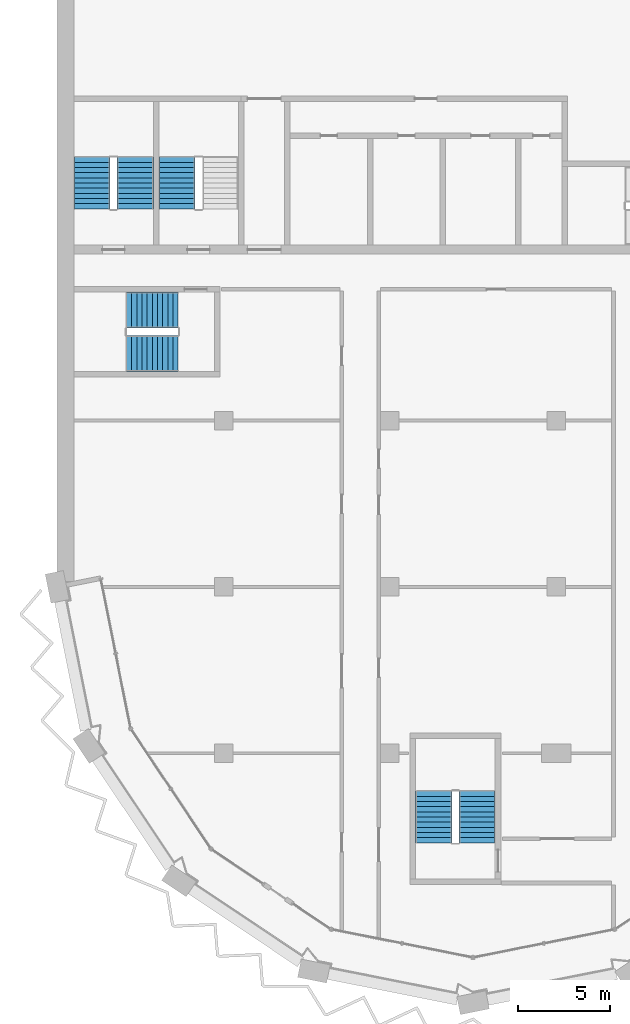
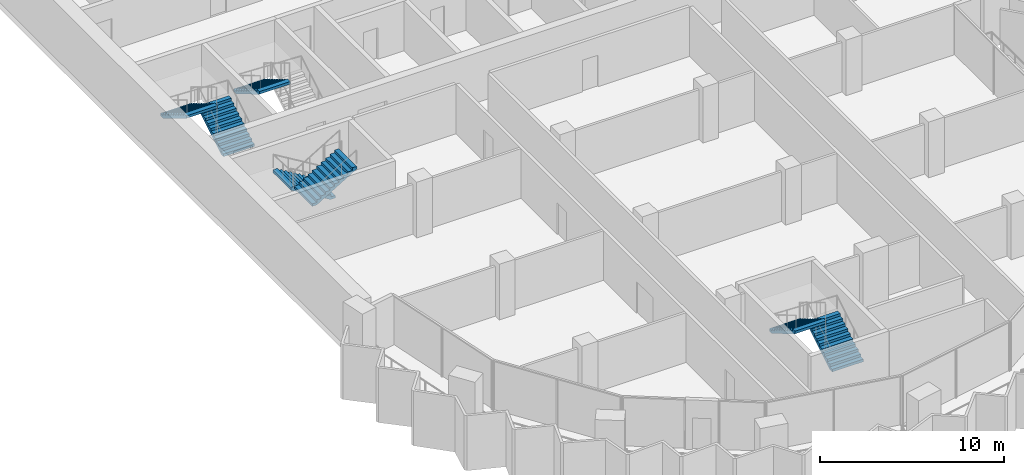
# One storey, part 11 of 16: 7 stair flights, 4 elements without a shape of their own.
"""IFC4 building model written with IfcOpenShell, lengths in metres."""

from ifc_helpers import new_model, si_unit, direction, frame, origin, place, context, subcontext, project, spatial, polyline, outline, extrude, material, type_object, element, aggregate, save


model = new_model("IFC4")

# Units and contexts
model_context = context("Model", 3, precision=1e-05, world=origin(), true_north=direction((0.0, 1.0)))
body_context = subcontext(model_context, "Body", "Model", "MODEL_VIEW")
ifc_project = project(units=[si_unit("LENGTHUNIT", "METRE"), si_unit("AREAUNIT", "SQUARE_METRE"), si_unit("VOLUMEUNIT", "CUBIC_METRE"), si_unit("PLANEANGLEUNIT", "RADIAN"), si_unit("MASSUNIT", "GRAM", prefix="KILO")], contexts=[model_context])

# Site, building, storey
site_placement = place(None, origin())
site = spatial("IfcSite", under=ifc_project, at=site_placement, CompositionType="ELEMENT")
building_placement = place(site_placement, origin())
building = spatial("IfcBuilding", under=site, at=building_placement, Name="Hunhe Ridgeline Campus", CompositionType="ELEMENT")
storey_placement = place(building_placement, frame((0.0, 0.0, 246.60009765625)))
storey = spatial("IfcBuildingStorey", under=building, at=storey_placement, Name="L63", CompositionType="ELEMENT", Elevation=246.60009765625)

# Stair, stair flights
ifc_material = material(Name="Concrete C40", Category="concrete")
stair_type = type_object("IfcStairType", Name="Reinforced concrete dog-leg stair 1950 Concrete C40", PredefinedType="HALF_TURN_STAIR", material=ifc_material)
stair_1_placement = place(storey_placement, origin())
stair_1 = element("IfcStair", 1, at=stair_1_placement, inside=storey, type_object=stair_type, Name="L63 S3", PredefinedType="HALF_TURN_STAIR")
stair_flight_type = type_object("IfcStairFlightType", Name="Reinforced concrete stair flight 1950 Concrete C40", PredefinedType="STRAIGHT", material=ifc_material)
stair_flight_1_placement = place(storey_placement, frame((4.22509765625, 65.449951171875, 0.0), z_axis=(0.0, 0.0, 1.0), x_axis=(0.0, 1.0, 0.0)))
stair_flight_1 = element("IfcStairFlight", 2, at=stair_flight_1_placement, type_object=stair_flight_type, Name="ST3 flight 1", NumberOfRisers=11, NumberOfTreads=10, PredefinedType="STRAIGHT", RiserHeight=0.168181818, TreadLength=0.28, context=body_context, shape_type="SweptSolid", body=[
    extrude(outline(polyline([(0.0, 0.0), (0.0, 0.168212890625), (0.280029296875, 0.168212890625), (0.280029296875, 0.33642578125), (0.56005859375, 0.33642578125), (0.56005859375, 0.504638671875), (0.840087890625, 0.504638671875), (0.840087890625, 0.672607421875), (1.1201171875, 0.672607421875), (1.1201171875, 0.8408203125), (1.39990234375, 0.8408203125), (1.39990234375, 1.009033203125), (1.679931640625, 1.009033203125), (1.679931640625, 1.17724609375), (1.9599609375, 1.17724609375), (1.9599609375, 1.345458984375), (2.239990234375, 1.345458984375), (2.239990234375, 1.513671875), (2.52001953125, 1.513671875), (2.52001953125, 1.681884765625), (2.800048828125, 1.681884765625), (2.800048828125, 1.85009765625), (2.800048828125, 1.5068359375), (0.291015625, 0.0), (0.0, 0.0)])), frame((0.0, 0.97509765625, 0.0), z_axis=(0.0, -1.0, 0.0), x_axis=(1.0, 0.0, 0.0)), (0.0, 0.0, 1.0), 1.949951171875),
    extrude(outline(polyline([(0.030029296875, 0.030029296875), (0.030029296875, 0.13818359375), (0.31005859375, 0.13818359375), (0.31005859375, 0.306396484375), (0.590087890625, 0.306396484375), (0.590087890625, 0.474609375), (0.8701171875, 0.474609375), (0.8701171875, 0.642578125), (1.14990234375, 0.642578125), (1.14990234375, 0.810791015625), (1.429931640625, 0.810791015625), (1.429931640625, 0.97900390625), (1.7099609375, 0.97900390625), (1.7099609375, 1.147216796875), (1.989990234375, 1.147216796875), (1.989990234375, 1.3154296875), (2.27001953125, 1.3154296875), (2.27001953125, 1.483642578125), (2.550048828125, 1.483642578125), (2.550048828125, 1.65185546875), (2.77001953125, 1.65185546875), (2.77001953125, 1.52392578125), (0.28271484375, 0.030029296875), (0.030029296875, 0.030029296875)])), frame((0.0, -0.070068359375, 0.0), z_axis=(0.0, -1.0, 0.0), x_axis=(1.0, 0.0, 0.0)), (0.0, 0.0, 1.0), 0.019775390625),
    extrude(outline(polyline([(0.030029296875, 0.030029296875), (0.030029296875, 0.13818359375), (0.31005859375, 0.13818359375), (0.31005859375, 0.306396484375), (0.590087890625, 0.306396484375), (0.590087890625, 0.474609375), (0.8701171875, 0.474609375), (0.8701171875, 0.642578125), (1.14990234375, 0.642578125), (1.14990234375, 0.810791015625), (1.429931640625, 0.810791015625), (1.429931640625, 0.97900390625), (1.7099609375, 0.97900390625), (1.7099609375, 1.147216796875), (1.989990234375, 1.147216796875), (1.989990234375, 1.3154296875), (2.27001953125, 1.3154296875), (2.27001953125, 1.483642578125), (2.550048828125, 1.483642578125), (2.550048828125, 1.65185546875), (2.77001953125, 1.65185546875), (2.77001953125, 1.52392578125), (0.28271484375, 0.030029296875), (0.030029296875, 0.030029296875)])), frame((0.0, 0.010009765625, 0.0), z_axis=(0.0, -1.0, 0.0), x_axis=(1.0, 0.0, 0.0)), (0.0, 0.0, 1.0), 0.019775390625),
    extrude(outline(polyline([(0.030029296875, 0.030029296875), (0.030029296875, 0.13818359375), (0.31005859375, 0.13818359375), (0.31005859375, 0.306396484375), (0.590087890625, 0.306396484375), (0.590087890625, 0.474609375), (0.8701171875, 0.474609375), (0.8701171875, 0.642578125), (1.14990234375, 0.642578125), (1.14990234375, 0.810791015625), (1.429931640625, 0.810791015625), (1.429931640625, 0.97900390625), (1.7099609375, 0.97900390625), (1.7099609375, 1.147216796875), (1.989990234375, 1.147216796875), (1.989990234375, 1.3154296875), (2.27001953125, 1.3154296875), (2.27001953125, 1.483642578125), (2.550048828125, 1.483642578125), (2.550048828125, 1.65185546875), (2.77001953125, 1.65185546875), (2.77001953125, 1.52392578125), (0.28271484375, 0.030029296875), (0.030029296875, 0.030029296875)])), frame((0.0, 0.090087890625, 0.0), z_axis=(0.0, -1.0, 0.0), x_axis=(1.0, 0.0, 0.0)), (0.0, 0.0, 1.0), 0.019775390625),
])
stair_flight_2_placement = place(storey_placement, frame((1.875, 68.25, 1.849853515625), z_axis=(0.0, 0.0, 1.0), x_axis=(0.0, -1.0, 0.0)))
stair_flight_2 = element("IfcStairFlight", 3, at=stair_flight_2_placement, type_object=stair_flight_type, Name="ST3 flight 2", NumberOfRisers=11, NumberOfTreads=10, PredefinedType="STRAIGHT", RiserHeight=0.168181818, TreadLength=0.28, context=body_context, shape_type="SweptSolid", body=[
    extrude(outline(polyline([(0.0, 0.0), (0.0, 0.168212890625), (0.280029296875, 0.168212890625), (0.280029296875, 0.33642578125), (0.56005859375, 0.33642578125), (0.56005859375, 0.504638671875), (0.840087890625, 0.504638671875), (0.840087890625, 0.672607421875), (1.1201171875, 0.672607421875), (1.1201171875, 0.8408203125), (1.39990234375, 0.8408203125), (1.39990234375, 1.009033203125), (1.679931640625, 1.009033203125), (1.679931640625, 1.17724609375), (1.9599609375, 1.17724609375), (1.9599609375, 1.345458984375), (2.239990234375, 1.345458984375), (2.239990234375, 1.513671875), (2.52001953125, 1.513671875), (2.52001953125, 1.681884765625), (2.800048828125, 1.681884765625), (2.800048828125, 1.85009765625), (2.800048828125, 1.5068359375), (0.291015625, 0.0), (0.0, 0.0)])), frame((0.0, 0.97509765625, 0.0), z_axis=(0.0, -1.0, 0.0), x_axis=(1.0, 0.0, 0.0)), (0.0, 0.0, 1.0), 1.949951171875),
    extrude(outline(polyline([(0.030029296875, 0.030029296875), (0.030029296875, 0.13818359375), (0.31005859375, 0.13818359375), (0.31005859375, 0.306396484375), (0.590087890625, 0.306396484375), (0.590087890625, 0.474609375), (0.8701171875, 0.474609375), (0.8701171875, 0.642578125), (1.14990234375, 0.642578125), (1.14990234375, 0.810791015625), (1.429931640625, 0.810791015625), (1.429931640625, 0.97900390625), (1.7099609375, 0.97900390625), (1.7099609375, 1.147216796875), (1.989990234375, 1.147216796875), (1.989990234375, 1.3154296875), (2.27001953125, 1.3154296875), (2.27001953125, 1.483642578125), (2.550048828125, 1.483642578125), (2.550048828125, 1.65185546875), (2.77001953125, 1.65185546875), (2.77001953125, 1.52392578125), (0.28271484375, 0.030029296875), (0.030029296875, 0.030029296875)])), frame((0.0, -0.070068359375, 0.0), z_axis=(0.0, -1.0, 0.0), x_axis=(1.0, 0.0, 0.0)), (0.0, 0.0, 1.0), 0.019775390625),
    extrude(outline(polyline([(0.030029296875, 0.030029296875), (0.030029296875, 0.13818359375), (0.31005859375, 0.13818359375), (0.31005859375, 0.306396484375), (0.590087890625, 0.306396484375), (0.590087890625, 0.474609375), (0.8701171875, 0.474609375), (0.8701171875, 0.642578125), (1.14990234375, 0.642578125), (1.14990234375, 0.810791015625), (1.429931640625, 0.810791015625), (1.429931640625, 0.97900390625), (1.7099609375, 0.97900390625), (1.7099609375, 1.147216796875), (1.989990234375, 1.147216796875), (1.989990234375, 1.3154296875), (2.27001953125, 1.3154296875), (2.27001953125, 1.483642578125), (2.550048828125, 1.483642578125), (2.550048828125, 1.65185546875), (2.77001953125, 1.65185546875), (2.77001953125, 1.52392578125), (0.28271484375, 0.030029296875), (0.030029296875, 0.030029296875)])), frame((0.0, 0.010009765625, 0.0), z_axis=(0.0, -1.0, 0.0), x_axis=(1.0, 0.0, 0.0)), (0.0, 0.0, 1.0), 0.019775390625),
    extrude(outline(polyline([(0.030029296875, 0.030029296875), (0.030029296875, 0.13818359375), (0.31005859375, 0.13818359375), (0.31005859375, 0.306396484375), (0.590087890625, 0.306396484375), (0.590087890625, 0.474609375), (0.8701171875, 0.474609375), (0.8701171875, 0.642578125), (1.14990234375, 0.642578125), (1.14990234375, 0.810791015625), (1.429931640625, 0.810791015625), (1.429931640625, 0.97900390625), (1.7099609375, 0.97900390625), (1.7099609375, 1.147216796875), (1.989990234375, 1.147216796875), (1.989990234375, 1.3154296875), (2.27001953125, 1.3154296875), (2.27001953125, 1.483642578125), (2.550048828125, 1.483642578125), (2.550048828125, 1.65185546875), (2.77001953125, 1.65185546875), (2.77001953125, 1.52392578125), (0.28271484375, 0.030029296875), (0.030029296875, 0.030029296875)])), frame((0.0, 0.090087890625, 0.0), z_axis=(0.0, -1.0, 0.0), x_axis=(1.0, 0.0, 0.0)), (0.0, 0.0, 1.0), 0.019775390625),
])
aggregate(stair_1, [stair_flight_1, stair_flight_2])

# Stair, stair flight
stair_2_placement = place(storey_placement, origin())
stair_2 = element("IfcStair", 4, at=stair_2_placement, inside=storey, type_object=stair_type, Name="L63 S4", PredefinedType="HALF_TURN_STAIR")
stair_flight_3_placement = place(storey_placement, frame((6.47509765625, 68.25, 1.849853515625), z_axis=(0.0, 0.0, 1.0), x_axis=(0.0, -1.0, 0.0)))
stair_flight_3 = element("IfcStairFlight", 5, at=stair_flight_3_placement, type_object=stair_flight_type, Name="ST4 flight 2", NumberOfRisers=11, NumberOfTreads=10, PredefinedType="STRAIGHT", RiserHeight=0.168181818, TreadLength=0.28, context=body_context, shape_type="SweptSolid", body=[
    extrude(outline(polyline([(0.0, 0.0), (0.0, 0.168212890625), (0.280029296875, 0.168212890625), (0.280029296875, 0.33642578125), (0.56005859375, 0.33642578125), (0.56005859375, 0.504638671875), (0.840087890625, 0.504638671875), (0.840087890625, 0.672607421875), (1.1201171875, 0.672607421875), (1.1201171875, 0.8408203125), (1.39990234375, 0.8408203125), (1.39990234375, 1.009033203125), (1.679931640625, 1.009033203125), (1.679931640625, 1.17724609375), (1.9599609375, 1.17724609375), (1.9599609375, 1.345458984375), (2.239990234375, 1.345458984375), (2.239990234375, 1.513671875), (2.52001953125, 1.513671875), (2.52001953125, 1.681884765625), (2.800048828125, 1.681884765625), (2.800048828125, 1.85009765625), (2.800048828125, 1.5068359375), (0.291015625, 0.0), (0.0, 0.0)])), frame((0.0, 0.97509765625, 0.0), z_axis=(0.0, -1.0, 0.0), x_axis=(1.0, 0.0, 0.0)), (0.0, 0.0, 1.0), 1.949951171875),
    extrude(outline(polyline([(0.030029296875, 0.030029296875), (0.030029296875, 0.13818359375), (0.31005859375, 0.13818359375), (0.31005859375, 0.306396484375), (0.590087890625, 0.306396484375), (0.590087890625, 0.474609375), (0.8701171875, 0.474609375), (0.8701171875, 0.642578125), (1.14990234375, 0.642578125), (1.14990234375, 0.810791015625), (1.429931640625, 0.810791015625), (1.429931640625, 0.97900390625), (1.7099609375, 0.97900390625), (1.7099609375, 1.147216796875), (1.989990234375, 1.147216796875), (1.989990234375, 1.3154296875), (2.27001953125, 1.3154296875), (2.27001953125, 1.483642578125), (2.550048828125, 1.483642578125), (2.550048828125, 1.65185546875), (2.77001953125, 1.65185546875), (2.77001953125, 1.52392578125), (0.28271484375, 0.030029296875), (0.030029296875, 0.030029296875)])), frame((0.0, -0.070068359375, 0.0), z_axis=(0.0, -1.0, 0.0), x_axis=(1.0, 0.0, 0.0)), (0.0, 0.0, 1.0), 0.019775390625),
    extrude(outline(polyline([(0.030029296875, 0.030029296875), (0.030029296875, 0.13818359375), (0.31005859375, 0.13818359375), (0.31005859375, 0.306396484375), (0.590087890625, 0.306396484375), (0.590087890625, 0.474609375), (0.8701171875, 0.474609375), (0.8701171875, 0.642578125), (1.14990234375, 0.642578125), (1.14990234375, 0.810791015625), (1.429931640625, 0.810791015625), (1.429931640625, 0.97900390625), (1.7099609375, 0.97900390625), (1.7099609375, 1.147216796875), (1.989990234375, 1.147216796875), (1.989990234375, 1.3154296875), (2.27001953125, 1.3154296875), (2.27001953125, 1.483642578125), (2.550048828125, 1.483642578125), (2.550048828125, 1.65185546875), (2.77001953125, 1.65185546875), (2.77001953125, 1.52392578125), (0.28271484375, 0.030029296875), (0.030029296875, 0.030029296875)])), frame((0.0, 0.010009765625, 0.0), z_axis=(0.0, -1.0, 0.0), x_axis=(1.0, 0.0, 0.0)), (0.0, 0.0, 1.0), 0.019775390625),
    extrude(outline(polyline([(0.030029296875, 0.030029296875), (0.030029296875, 0.13818359375), (0.31005859375, 0.13818359375), (0.31005859375, 0.306396484375), (0.590087890625, 0.306396484375), (0.590087890625, 0.474609375), (0.8701171875, 0.474609375), (0.8701171875, 0.642578125), (1.14990234375, 0.642578125), (1.14990234375, 0.810791015625), (1.429931640625, 0.810791015625), (1.429931640625, 0.97900390625), (1.7099609375, 0.97900390625), (1.7099609375, 1.147216796875), (1.989990234375, 1.147216796875), (1.989990234375, 1.3154296875), (2.27001953125, 1.3154296875), (2.27001953125, 1.483642578125), (2.550048828125, 1.483642578125), (2.550048828125, 1.65185546875), (2.77001953125, 1.65185546875), (2.77001953125, 1.52392578125), (0.28271484375, 0.030029296875), (0.030029296875, 0.030029296875)])), frame((0.0, 0.090087890625, 0.0), z_axis=(0.0, -1.0, 0.0), x_axis=(1.0, 0.0, 0.0)), (0.0, 0.0, 1.0), 0.019775390625),
])
aggregate(stair_2, [stair_flight_3])

# Stair, stair flights
stair_3_placement = place(storey_placement, origin())
stair_3 = element("IfcStair", 6, at=stair_3_placement, inside=storey, type_object=stair_type, Name="L63 W3", PredefinedType="HALF_TURN_STAIR")
stair_flight_4_placement = place(storey_placement, frame((22.72509765625, 31.14990234375, 0.0), z_axis=(0.0, 0.0, 1.0), x_axis=(0.0, 1.0, 0.0)))
stair_flight_4 = element("IfcStairFlight", 7, at=stair_flight_4_placement, type_object=stair_flight_type, Name="ST9 flight 1", NumberOfRisers=11, NumberOfTreads=10, PredefinedType="STRAIGHT", RiserHeight=0.168181818, TreadLength=0.28, context=body_context, shape_type="SweptSolid", body=[
    extrude(outline(polyline([(0.0, 0.0), (0.0, 0.168212890625), (0.280029296875, 0.168212890625), (0.280029296875, 0.33642578125), (0.56005859375, 0.33642578125), (0.56005859375, 0.504638671875), (0.840087890625, 0.504638671875), (0.840087890625, 0.672607421875), (1.1201171875, 0.672607421875), (1.1201171875, 0.8408203125), (1.39990234375, 0.8408203125), (1.39990234375, 1.009033203125), (1.679931640625, 1.009033203125), (1.679931640625, 1.17724609375), (1.9599609375, 1.17724609375), (1.9599609375, 1.345458984375), (2.239990234375, 1.345458984375), (2.239990234375, 1.513671875), (2.52001953125, 1.513671875), (2.52001953125, 1.681884765625), (2.800048828125, 1.681884765625), (2.800048828125, 1.85009765625), (2.800048828125, 1.5068359375), (0.291015625, 0.0), (0.0, 0.0)])), frame((0.0, 0.97509765625, 0.0), z_axis=(0.0, -1.0, 0.0), x_axis=(1.0, 0.0, 0.0)), (0.0, 0.0, 1.0), 1.949951171875),
    extrude(outline(polyline([(0.030029296875, 0.030029296875), (0.030029296875, 0.13818359375), (0.31005859375, 0.13818359375), (0.31005859375, 0.306396484375), (0.590087890625, 0.306396484375), (0.590087890625, 0.474609375), (0.8701171875, 0.474609375), (0.8701171875, 0.642578125), (1.14990234375, 0.642578125), (1.14990234375, 0.810791015625), (1.429931640625, 0.810791015625), (1.429931640625, 0.97900390625), (1.7099609375, 0.97900390625), (1.7099609375, 1.147216796875), (1.989990234375, 1.147216796875), (1.989990234375, 1.3154296875), (2.27001953125, 1.3154296875), (2.27001953125, 1.483642578125), (2.550048828125, 1.483642578125), (2.550048828125, 1.65185546875), (2.77001953125, 1.65185546875), (2.77001953125, 1.52392578125), (0.28271484375, 0.030029296875), (0.030029296875, 0.030029296875)])), frame((0.0, -0.070068359375, 0.0), z_axis=(0.0, -1.0, 0.0), x_axis=(1.0, 0.0, 0.0)), (0.0, 0.0, 1.0), 0.019775390625),
    extrude(outline(polyline([(0.030029296875, 0.030029296875), (0.030029296875, 0.13818359375), (0.31005859375, 0.13818359375), (0.31005859375, 0.306396484375), (0.590087890625, 0.306396484375), (0.590087890625, 0.474609375), (0.8701171875, 0.474609375), (0.8701171875, 0.642578125), (1.14990234375, 0.642578125), (1.14990234375, 0.810791015625), (1.429931640625, 0.810791015625), (1.429931640625, 0.97900390625), (1.7099609375, 0.97900390625), (1.7099609375, 1.147216796875), (1.989990234375, 1.147216796875), (1.989990234375, 1.3154296875), (2.27001953125, 1.3154296875), (2.27001953125, 1.483642578125), (2.550048828125, 1.483642578125), (2.550048828125, 1.65185546875), (2.77001953125, 1.65185546875), (2.77001953125, 1.52392578125), (0.28271484375, 0.030029296875), (0.030029296875, 0.030029296875)])), frame((0.0, 0.010009765625, 0.0), z_axis=(0.0, -1.0, 0.0), x_axis=(1.0, 0.0, 0.0)), (0.0, 0.0, 1.0), 0.019775390625),
    extrude(outline(polyline([(0.030029296875, 0.030029296875), (0.030029296875, 0.13818359375), (0.31005859375, 0.13818359375), (0.31005859375, 0.306396484375), (0.590087890625, 0.306396484375), (0.590087890625, 0.474609375), (0.8701171875, 0.474609375), (0.8701171875, 0.642578125), (1.14990234375, 0.642578125), (1.14990234375, 0.810791015625), (1.429931640625, 0.810791015625), (1.429931640625, 0.97900390625), (1.7099609375, 0.97900390625), (1.7099609375, 1.147216796875), (1.989990234375, 1.147216796875), (1.989990234375, 1.3154296875), (2.27001953125, 1.3154296875), (2.27001953125, 1.483642578125), (2.550048828125, 1.483642578125), (2.550048828125, 1.65185546875), (2.77001953125, 1.65185546875), (2.77001953125, 1.52392578125), (0.28271484375, 0.030029296875), (0.030029296875, 0.030029296875)])), frame((0.0, 0.090087890625, 0.0), z_axis=(0.0, -1.0, 0.0), x_axis=(1.0, 0.0, 0.0)), (0.0, 0.0, 1.0), 0.019775390625),
])
stair_flight_5_placement = place(storey_placement, frame((20.375, 33.949951171875, 1.849853515625), z_axis=(0.0, 0.0, 1.0), x_axis=(0.0, -1.0, 0.0)))
stair_flight_5 = element("IfcStairFlight", 8, at=stair_flight_5_placement, type_object=stair_flight_type, Name="ST9 flight 2", NumberOfRisers=11, NumberOfTreads=10, PredefinedType="STRAIGHT", RiserHeight=0.168181818, TreadLength=0.28, context=body_context, shape_type="SweptSolid", body=[
    extrude(outline(polyline([(0.0, 0.0), (0.0, 0.168212890625), (0.280029296875, 0.168212890625), (0.280029296875, 0.33642578125), (0.56005859375, 0.33642578125), (0.56005859375, 0.504638671875), (0.840087890625, 0.504638671875), (0.840087890625, 0.672607421875), (1.1201171875, 0.672607421875), (1.1201171875, 0.8408203125), (1.39990234375, 0.8408203125), (1.39990234375, 1.009033203125), (1.679931640625, 1.009033203125), (1.679931640625, 1.17724609375), (1.9599609375, 1.17724609375), (1.9599609375, 1.345458984375), (2.239990234375, 1.345458984375), (2.239990234375, 1.513671875), (2.52001953125, 1.513671875), (2.52001953125, 1.681884765625), (2.800048828125, 1.681884765625), (2.800048828125, 1.85009765625), (2.800048828125, 1.5068359375), (0.291015625, 0.0), (0.0, 0.0)])), frame((0.0, 0.97509765625, 0.0), z_axis=(0.0, -1.0, 0.0), x_axis=(1.0, 0.0, 0.0)), (0.0, 0.0, 1.0), 1.949951171875),
    extrude(outline(polyline([(0.030029296875, 0.030029296875), (0.030029296875, 0.13818359375), (0.31005859375, 0.13818359375), (0.31005859375, 0.306396484375), (0.590087890625, 0.306396484375), (0.590087890625, 0.474609375), (0.8701171875, 0.474609375), (0.8701171875, 0.642578125), (1.14990234375, 0.642578125), (1.14990234375, 0.810791015625), (1.429931640625, 0.810791015625), (1.429931640625, 0.97900390625), (1.7099609375, 0.97900390625), (1.7099609375, 1.147216796875), (1.989990234375, 1.147216796875), (1.989990234375, 1.3154296875), (2.27001953125, 1.3154296875), (2.27001953125, 1.483642578125), (2.550048828125, 1.483642578125), (2.550048828125, 1.65185546875), (2.77001953125, 1.65185546875), (2.77001953125, 1.52392578125), (0.28271484375, 0.030029296875), (0.030029296875, 0.030029296875)])), frame((0.0, -0.070068359375, 0.0), z_axis=(0.0, -1.0, 0.0), x_axis=(1.0, 0.0, 0.0)), (0.0, 0.0, 1.0), 0.019775390625),
    extrude(outline(polyline([(0.030029296875, 0.030029296875), (0.030029296875, 0.13818359375), (0.31005859375, 0.13818359375), (0.31005859375, 0.306396484375), (0.590087890625, 0.306396484375), (0.590087890625, 0.474609375), (0.8701171875, 0.474609375), (0.8701171875, 0.642578125), (1.14990234375, 0.642578125), (1.14990234375, 0.810791015625), (1.429931640625, 0.810791015625), (1.429931640625, 0.97900390625), (1.7099609375, 0.97900390625), (1.7099609375, 1.147216796875), (1.989990234375, 1.147216796875), (1.989990234375, 1.3154296875), (2.27001953125, 1.3154296875), (2.27001953125, 1.483642578125), (2.550048828125, 1.483642578125), (2.550048828125, 1.65185546875), (2.77001953125, 1.65185546875), (2.77001953125, 1.52392578125), (0.28271484375, 0.030029296875), (0.030029296875, 0.030029296875)])), frame((0.0, 0.010009765625, 0.0), z_axis=(0.0, -1.0, 0.0), x_axis=(1.0, 0.0, 0.0)), (0.0, 0.0, 1.0), 0.019775390625),
    extrude(outline(polyline([(0.030029296875, 0.030029296875), (0.030029296875, 0.13818359375), (0.31005859375, 0.13818359375), (0.31005859375, 0.306396484375), (0.590087890625, 0.306396484375), (0.590087890625, 0.474609375), (0.8701171875, 0.474609375), (0.8701171875, 0.642578125), (1.14990234375, 0.642578125), (1.14990234375, 0.810791015625), (1.429931640625, 0.810791015625), (1.429931640625, 0.97900390625), (1.7099609375, 0.97900390625), (1.7099609375, 1.147216796875), (1.989990234375, 1.147216796875), (1.989990234375, 1.3154296875), (2.27001953125, 1.3154296875), (2.27001953125, 1.483642578125), (2.550048828125, 1.483642578125), (2.550048828125, 1.65185546875), (2.77001953125, 1.65185546875), (2.77001953125, 1.52392578125), (0.28271484375, 0.030029296875), (0.030029296875, 0.030029296875)])), frame((0.0, 0.090087890625, 0.0), z_axis=(0.0, -1.0, 0.0), x_axis=(1.0, 0.0, 0.0)), (0.0, 0.0, 1.0), 0.019775390625),
])
aggregate(stair_3, [stair_flight_4, stair_flight_5])

stair_4_placement = place(storey_placement, origin())
stair_4 = element("IfcStair", 9, at=stair_4_placement, inside=storey, type_object=stair_type, Name="L63 W2", PredefinedType="HALF_TURN_STAIR")
stair_flight_6_placement = place(storey_placement, frame((6.550048828125, 59.97509765625, 0.0), z_axis=(0.0, 0.0, 1.0), x_axis=(-1.0, 0.0, 0.0)))
stair_flight_6 = element("IfcStairFlight", 10, at=stair_flight_6_placement, type_object=stair_flight_type, Name="ST12 flight 1", NumberOfRisers=11, NumberOfTreads=10, PredefinedType="STRAIGHT", RiserHeight=0.168181818, TreadLength=0.28, context=body_context, shape_type="SweptSolid", body=[
    extrude(outline(polyline([(0.0, 0.0), (0.0, 0.168212890625), (0.280029296875, 0.168212890625), (0.280029296875, 0.33642578125), (0.56005859375, 0.33642578125), (0.56005859375, 0.504638671875), (0.840087890625, 0.504638671875), (0.840087890625, 0.672607421875), (1.1201171875, 0.672607421875), (1.1201171875, 0.8408203125), (1.39990234375, 0.8408203125), (1.39990234375, 1.009033203125), (1.679931640625, 1.009033203125), (1.679931640625, 1.17724609375), (1.9599609375, 1.17724609375), (1.9599609375, 1.345458984375), (2.239990234375, 1.345458984375), (2.239990234375, 1.513671875), (2.52001953125, 1.513671875), (2.52001953125, 1.681884765625), (2.800048828125, 1.681884765625), (2.800048828125, 1.85009765625), (2.800048828125, 1.5068359375), (0.291015625, 0.0), (0.0, 0.0)])), frame((0.0, 0.97509765625, 0.0), z_axis=(0.0, -1.0, 0.0), x_axis=(1.0, 0.0, 0.0)), (0.0, 0.0, 1.0), 1.949951171875),
    extrude(outline(polyline([(0.030029296875, 0.030029296875), (0.030029296875, 0.13818359375), (0.31005859375, 0.13818359375), (0.31005859375, 0.306396484375), (0.590087890625, 0.306396484375), (0.590087890625, 0.474609375), (0.8701171875, 0.474609375), (0.8701171875, 0.642578125), (1.14990234375, 0.642578125), (1.14990234375, 0.810791015625), (1.429931640625, 0.810791015625), (1.429931640625, 0.97900390625), (1.7099609375, 0.97900390625), (1.7099609375, 1.147216796875), (1.989990234375, 1.147216796875), (1.989990234375, 1.3154296875), (2.27001953125, 1.3154296875), (2.27001953125, 1.483642578125), (2.550048828125, 1.483642578125), (2.550048828125, 1.65185546875), (2.77001953125, 1.65185546875), (2.77001953125, 1.52392578125), (0.28271484375, 0.030029296875), (0.030029296875, 0.030029296875)])), frame((0.0, -0.070068359375, 0.0), z_axis=(0.0, -1.0, 0.0), x_axis=(1.0, 0.0, 0.0)), (0.0, 0.0, 1.0), 0.019775390625),
    extrude(outline(polyline([(0.030029296875, 0.030029296875), (0.030029296875, 0.13818359375), (0.31005859375, 0.13818359375), (0.31005859375, 0.306396484375), (0.590087890625, 0.306396484375), (0.590087890625, 0.474609375), (0.8701171875, 0.474609375), (0.8701171875, 0.642578125), (1.14990234375, 0.642578125), (1.14990234375, 0.810791015625), (1.429931640625, 0.810791015625), (1.429931640625, 0.97900390625), (1.7099609375, 0.97900390625), (1.7099609375, 1.147216796875), (1.989990234375, 1.147216796875), (1.989990234375, 1.3154296875), (2.27001953125, 1.3154296875), (2.27001953125, 1.483642578125), (2.550048828125, 1.483642578125), (2.550048828125, 1.65185546875), (2.77001953125, 1.65185546875), (2.77001953125, 1.52392578125), (0.28271484375, 0.030029296875), (0.030029296875, 0.030029296875)])), frame((0.0, 0.010009765625, 0.0), z_axis=(0.0, -1.0, 0.0), x_axis=(1.0, 0.0, 0.0)), (0.0, 0.0, 1.0), 0.019775390625),
    extrude(outline(polyline([(0.030029296875, 0.030029296875), (0.030029296875, 0.13818359375), (0.31005859375, 0.13818359375), (0.31005859375, 0.306396484375), (0.590087890625, 0.306396484375), (0.590087890625, 0.474609375), (0.8701171875, 0.474609375), (0.8701171875, 0.642578125), (1.14990234375, 0.642578125), (1.14990234375, 0.810791015625), (1.429931640625, 0.810791015625), (1.429931640625, 0.97900390625), (1.7099609375, 0.97900390625), (1.7099609375, 1.147216796875), (1.989990234375, 1.147216796875), (1.989990234375, 1.3154296875), (2.27001953125, 1.3154296875), (2.27001953125, 1.483642578125), (2.550048828125, 1.483642578125), (2.550048828125, 1.65185546875), (2.77001953125, 1.65185546875), (2.77001953125, 1.52392578125), (0.28271484375, 0.030029296875), (0.030029296875, 0.030029296875)])), frame((0.0, 0.090087890625, 0.0), z_axis=(0.0, -1.0, 0.0), x_axis=(1.0, 0.0, 0.0)), (0.0, 0.0, 1.0), 0.019775390625),
])
stair_flight_7_placement = place(storey_placement, frame((3.75, 57.625, 1.849853515625), z_axis=(0.0, 0.0, 1.0), x_axis=(1.0, 0.0, 0.0)))
stair_flight_7 = element("IfcStairFlight", 11, at=stair_flight_7_placement, type_object=stair_flight_type, Name="ST12 flight 2", NumberOfRisers=11, NumberOfTreads=10, PredefinedType="STRAIGHT", RiserHeight=0.168181818, TreadLength=0.28, context=body_context, shape_type="SweptSolid", body=[
    extrude(outline(polyline([(0.0, 0.0), (0.0, 0.168212890625), (0.280029296875, 0.168212890625), (0.280029296875, 0.33642578125), (0.56005859375, 0.33642578125), (0.56005859375, 0.504638671875), (0.840087890625, 0.504638671875), (0.840087890625, 0.672607421875), (1.1201171875, 0.672607421875), (1.1201171875, 0.8408203125), (1.39990234375, 0.8408203125), (1.39990234375, 1.009033203125), (1.679931640625, 1.009033203125), (1.679931640625, 1.17724609375), (1.9599609375, 1.17724609375), (1.9599609375, 1.345458984375), (2.239990234375, 1.345458984375), (2.239990234375, 1.513671875), (2.52001953125, 1.513671875), (2.52001953125, 1.681884765625), (2.800048828125, 1.681884765625), (2.800048828125, 1.85009765625), (2.800048828125, 1.5068359375), (0.291015625, 0.0), (0.0, 0.0)])), frame((0.0, 0.97509765625, 0.0), z_axis=(0.0, -1.0, 0.0), x_axis=(1.0, 0.0, 0.0)), (0.0, 0.0, 1.0), 1.949951171875),
    extrude(outline(polyline([(0.030029296875, 0.030029296875), (0.030029296875, 0.13818359375), (0.31005859375, 0.13818359375), (0.31005859375, 0.306396484375), (0.590087890625, 0.306396484375), (0.590087890625, 0.474609375), (0.8701171875, 0.474609375), (0.8701171875, 0.642578125), (1.14990234375, 0.642578125), (1.14990234375, 0.810791015625), (1.429931640625, 0.810791015625), (1.429931640625, 0.97900390625), (1.7099609375, 0.97900390625), (1.7099609375, 1.147216796875), (1.989990234375, 1.147216796875), (1.989990234375, 1.3154296875), (2.27001953125, 1.3154296875), (2.27001953125, 1.483642578125), (2.550048828125, 1.483642578125), (2.550048828125, 1.65185546875), (2.77001953125, 1.65185546875), (2.77001953125, 1.52392578125), (0.28271484375, 0.030029296875), (0.030029296875, 0.030029296875)])), frame((0.0, -0.070068359375, 0.0), z_axis=(0.0, -1.0, 0.0), x_axis=(1.0, 0.0, 0.0)), (0.0, 0.0, 1.0), 0.019775390625),
    extrude(outline(polyline([(0.030029296875, 0.030029296875), (0.030029296875, 0.13818359375), (0.31005859375, 0.13818359375), (0.31005859375, 0.306396484375), (0.590087890625, 0.306396484375), (0.590087890625, 0.474609375), (0.8701171875, 0.474609375), (0.8701171875, 0.642578125), (1.14990234375, 0.642578125), (1.14990234375, 0.810791015625), (1.429931640625, 0.810791015625), (1.429931640625, 0.97900390625), (1.7099609375, 0.97900390625), (1.7099609375, 1.147216796875), (1.989990234375, 1.147216796875), (1.989990234375, 1.3154296875), (2.27001953125, 1.3154296875), (2.27001953125, 1.483642578125), (2.550048828125, 1.483642578125), (2.550048828125, 1.65185546875), (2.77001953125, 1.65185546875), (2.77001953125, 1.52392578125), (0.28271484375, 0.030029296875), (0.030029296875, 0.030029296875)])), frame((0.0, 0.010009765625, 0.0), z_axis=(0.0, -1.0, 0.0), x_axis=(1.0, 0.0, 0.0)), (0.0, 0.0, 1.0), 0.019775390625),
    extrude(outline(polyline([(0.030029296875, 0.030029296875), (0.030029296875, 0.13818359375), (0.31005859375, 0.13818359375), (0.31005859375, 0.306396484375), (0.590087890625, 0.306396484375), (0.590087890625, 0.474609375), (0.8701171875, 0.474609375), (0.8701171875, 0.642578125), (1.14990234375, 0.642578125), (1.14990234375, 0.810791015625), (1.429931640625, 0.810791015625), (1.429931640625, 0.97900390625), (1.7099609375, 0.97900390625), (1.7099609375, 1.147216796875), (1.989990234375, 1.147216796875), (1.989990234375, 1.3154296875), (2.27001953125, 1.3154296875), (2.27001953125, 1.483642578125), (2.550048828125, 1.483642578125), (2.550048828125, 1.65185546875), (2.77001953125, 1.65185546875), (2.77001953125, 1.52392578125), (0.28271484375, 0.030029296875), (0.030029296875, 0.030029296875)])), frame((0.0, 0.090087890625, 0.0), z_axis=(0.0, -1.0, 0.0), x_axis=(1.0, 0.0, 0.0)), (0.0, 0.0, 1.0), 0.019775390625),
])
aggregate(stair_4, [stair_flight_6, stair_flight_7])

save(model, "model.ifc")
